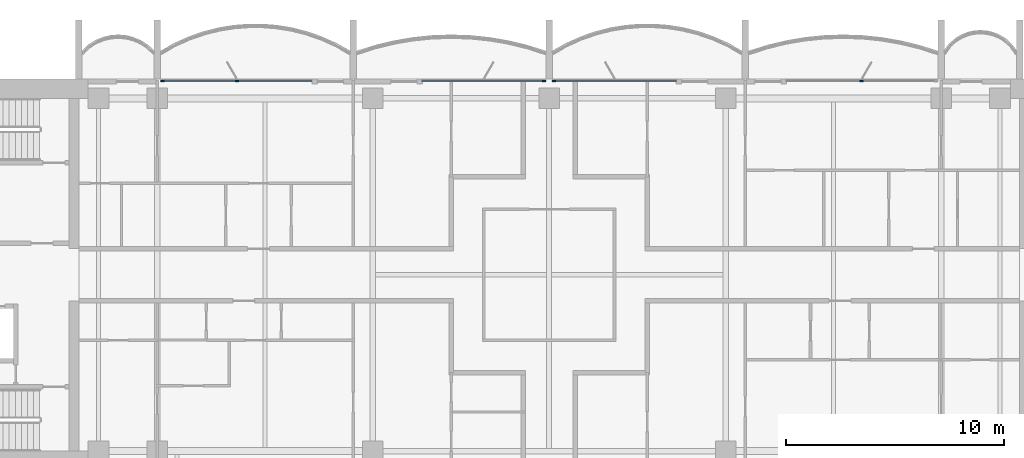
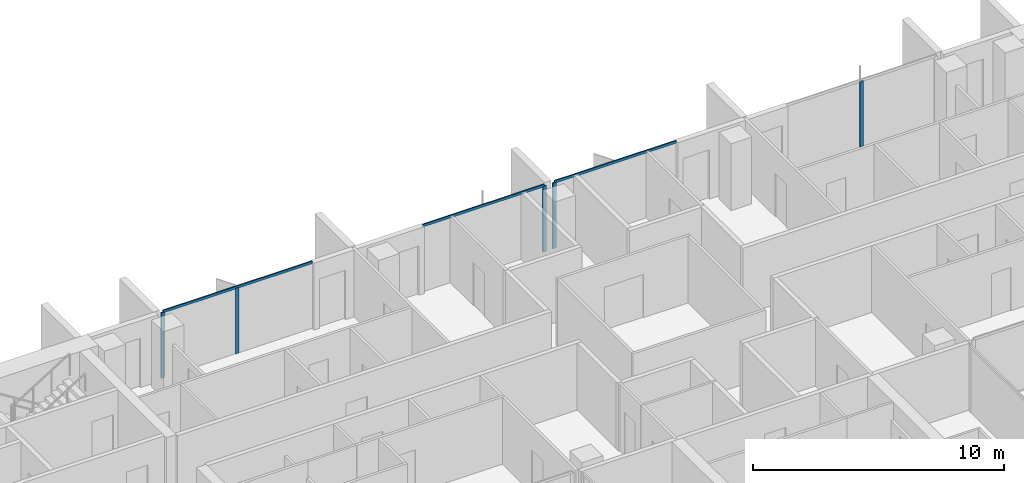
# One storey, part 5 of 17: 8 members, 4 elements without a shape of their own.
"""IFC4 building model written with IfcOpenShell, lengths in metres."""

from ifc_helpers import new_model, si_unit, direction, frame, origin, origin_2d, place, context, subcontext, project, spatial, rectangle, extrude, material, material_profile, profile_set, type_object, element, aggregate, save


model = new_model("IFC4")

# Units and contexts
model_context = context("Model", 3, precision=1e-05, world=origin(), true_north=direction((0.0, 1.0)))
body_context = subcontext(model_context, "Body", "Model", "MODEL_VIEW")
ifc_project = project(units=[si_unit("LENGTHUNIT", "METRE"), si_unit("AREAUNIT", "SQUARE_METRE"), si_unit("VOLUMEUNIT", "CUBIC_METRE"), si_unit("PLANEANGLEUNIT", "RADIAN"), si_unit("MASSUNIT", "GRAM", prefix="KILO")], contexts=[model_context])

# Site, building, storey
site_placement = place(None, origin())
site = spatial("IfcSite", under=ifc_project, at=site_placement, CompositionType="ELEMENT")
building_placement = place(site_placement, origin())
building = spatial("IfcBuilding", under=site, at=building_placement, Name="Perihelion Cross Residences", CompositionType="ELEMENT")
storey_placement = place(building_placement, frame((0.0, 0.0, 201.60009765625)))
storey = spatial("IfcBuildingStorey", under=building, at=storey_placement, Name="L50", CompositionType="ELEMENT", Elevation=201.60009765625)

# Curtain wall, member
ifc_material_1 = material(Name="Bronze anodised aluminium, tinted glazing", Category="aluminium")
curtain_wall_type = type_object("IfcCurtainWallType", Name="CW1", PredefinedType="NOTDEFINED", material=ifc_material_1)
curtain_wall_1_placement = place(storey_placement, origin())
curtain_wall_1 = element("IfcCurtainWall", 1, at=curtain_wall_1_placement, inside=storey, type_object=curtain_wall_type, Name="Curtain wall CW1 L50 east side north bay 2", PredefinedType="NOTDEFINED")
ifc_material_2 = material(Name="Bronze anodised aluminium", Category="aluminium")
ifc_material_profile_1 = material_profile(ifc_material_2, rectangle(XDim=0.06005859375, YDim=0.159912109375, at=origin_2d()), Name="CW1 mullion")
ifc_profile_set_1 = profile_set([ifc_material_profile_1], Name="Bronze anodised aluminium")
member_type_1 = type_object("IfcMemberType", Name="CW1 mullion", PredefinedType="MULLION", material=ifc_profile_set_1)
member_1_placement = place(storey_placement, frame((14.35009765625, 8.89990234375, 0.0), z_axis=(0.0, 0.0, 1.0), x_axis=(0.0, -1.0, 0.0)))
member_1 = element("IfcMember", 2, at=member_1_placement, type_object=member_type_1, Name="CW1 mullion 2", PredefinedType="MULLION", context=body_context, shape_type="SweptSolid", body=[
    extrude(rectangle(XDim=0.06005859375, YDim=0.159912109375, at=origin_2d()), origin(), (0.0, 0.0, 1.0), 3.18994140625),
])
aggregate(curtain_wall_1, [member_1])

curtain_wall_2_placement = place(storey_placement, origin())
curtain_wall_2 = element("IfcCurtainWall", 3, at=curtain_wall_2_placement, inside=storey, type_object=curtain_wall_type, Name="Curtain wall CW1 L50 north side east bay 1", PredefinedType="NOTDEFINED")
member_2_placement = place(storey_placement, frame((0.22998046875, 8.89990234375, 0.0), z_axis=(0.0, 0.0, 1.0), x_axis=(0.0, -1.0, 0.0)))
member_2 = element("IfcMember", 4, at=member_2_placement, type_object=member_type_1, Name="CW1 mullion 2", PredefinedType="MULLION", context=body_context, shape_type="SweptSolid", body=[
    extrude(rectangle(XDim=0.06005859375, YDim=0.159912109375, at=origin_2d()), origin(), (0.0, 0.0, 1.0), 3.18994140625),
])

curtain_wall_3_placement = place(storey_placement, origin())
curtain_wall_3 = element("IfcCurtainWall", 5, at=curtain_wall_3_placement, inside=storey, type_object=curtain_wall_type, Name="Curtain wall CW1 L50 north side east bay 2", PredefinedType="NOTDEFINED")
member_3_placement = place(storey_placement, frame((-0.22998046875, 8.89990234375, 0.0), z_axis=(0.0, 0.0, 1.0), x_axis=(0.0, -1.0, 0.0)))
member_3 = element("IfcMember", 6, at=member_3_placement, type_object=member_type_1, Name="CW1 mullion 1", PredefinedType="MULLION", context=body_context, shape_type="SweptSolid", body=[
    extrude(rectangle(XDim=0.06005859375, YDim=0.159912109375, at=origin_2d()), origin(), (0.0, 0.0, 1.0), 3.18994140625),
])

# Curtain wall, members
curtain_wall_4_placement = place(storey_placement, origin())
curtain_wall_4 = element("IfcCurtainWall", 7, at=curtain_wall_4_placement, inside=storey, type_object=curtain_wall_type, Name="Curtain wall CW1 L50 west side north bay 1", PredefinedType="NOTDEFINED")
member_4_placement = place(storey_placement, frame((-14.35009765625, 8.89990234375, 0.0), z_axis=(0.0, 0.0, 1.0), x_axis=(0.0, -1.0, 0.0)))
member_4 = element("IfcMember", 8, at=member_4_placement, type_object=member_type_1, Name="CW1 mullion 2", PredefinedType="MULLION", context=body_context, shape_type="SweptSolid", body=[
    extrude(rectangle(XDim=0.06005859375, YDim=0.159912109375, at=origin_2d()), origin(), (0.0, 0.0, 1.0), 3.18994140625),
])
member_5_placement = place(storey_placement, frame((-17.77001953125, 8.89990234375, 0.0), z_axis=(0.0, 0.0, 1.0), x_axis=(0.0, -1.0, 0.0)))
member_5 = element("IfcMember", 9, at=member_5_placement, type_object=member_type_1, Name="CW1 mullion 3", PredefinedType="MULLION", context=body_context, shape_type="SweptSolid", body=[
    extrude(rectangle(XDim=0.06005859375, YDim=0.159912109375, at=origin_2d()), origin(), (0.0, 0.0, 1.0), 3.18994140625),
])

# Member
ifc_material_3 = material(Name="Bronze anodised aluminium", Category="aluminium")
ifc_material_profile_2 = material_profile(ifc_material_3, rectangle(XDim=0.06005859375, YDim=0.1201171875, at=origin_2d()), Name="CW1 transom")
ifc_profile_set_2 = profile_set([ifc_material_profile_2], Name="Bronze anodised aluminium")
member_type_2 = type_object("IfcMemberType", Name="CW1 transom", PredefinedType="USERDEFINED", material=ifc_profile_set_2)
member_6_placement = place(storey_placement, frame((5.824951171875, 8.89990234375, 3.219970703125), z_axis=(-1.0, 0.0, 0.0), x_axis=(0.0, -1.0, 0.0)))
member_6 = element("IfcMember", 10, at=member_6_placement, type_object=member_type_2, Name="CW1 head transom", ObjectType="TRANSOM", PredefinedType="USERDEFINED", context=body_context, shape_type="SweptSolid", body=[
    extrude(rectangle(XDim=0.06005859375, YDim=0.1201171875, at=origin_2d()), origin(), (0.0, 0.0, 1.0), 5.594970703125),
])

aggregate(curtain_wall_2, [member_2, member_6])

member_7_placement = place(storey_placement, frame((-0.22998046875, 8.89990234375, 3.219970703125), z_axis=(-1.0, 0.0, 0.0), x_axis=(0.0, -1.0, 0.0)))
member_7 = element("IfcMember", 11, at=member_7_placement, type_object=member_type_2, Name="CW1 head transom", ObjectType="TRANSOM", PredefinedType="USERDEFINED", context=body_context, shape_type="SweptSolid", body=[
    extrude(rectangle(XDim=0.06005859375, YDim=0.1201171875, at=origin_2d()), origin(), (0.0, 0.0, 1.0), 5.594970703125),
])

aggregate(curtain_wall_3, [member_3, member_7])

member_8_placement = place(storey_placement, frame((-10.89990234375, 8.89990234375, 3.219970703125), z_axis=(-1.0, 0.0, 0.0), x_axis=(0.0, -1.0, 0.0)))
member_8 = element("IfcMember", 12, at=member_8_placement, type_object=member_type_2, Name="CW1 head transom", ObjectType="TRANSOM", PredefinedType="USERDEFINED", context=body_context, shape_type="SweptSolid", body=[
    extrude(rectangle(XDim=0.06005859375, YDim=0.1201171875, at=origin_2d()), origin(), (0.0, 0.0, 1.0), 6.8701171875),
])

aggregate(curtain_wall_4, [member_4, member_5, member_8])

save(model, "model.ifc")
